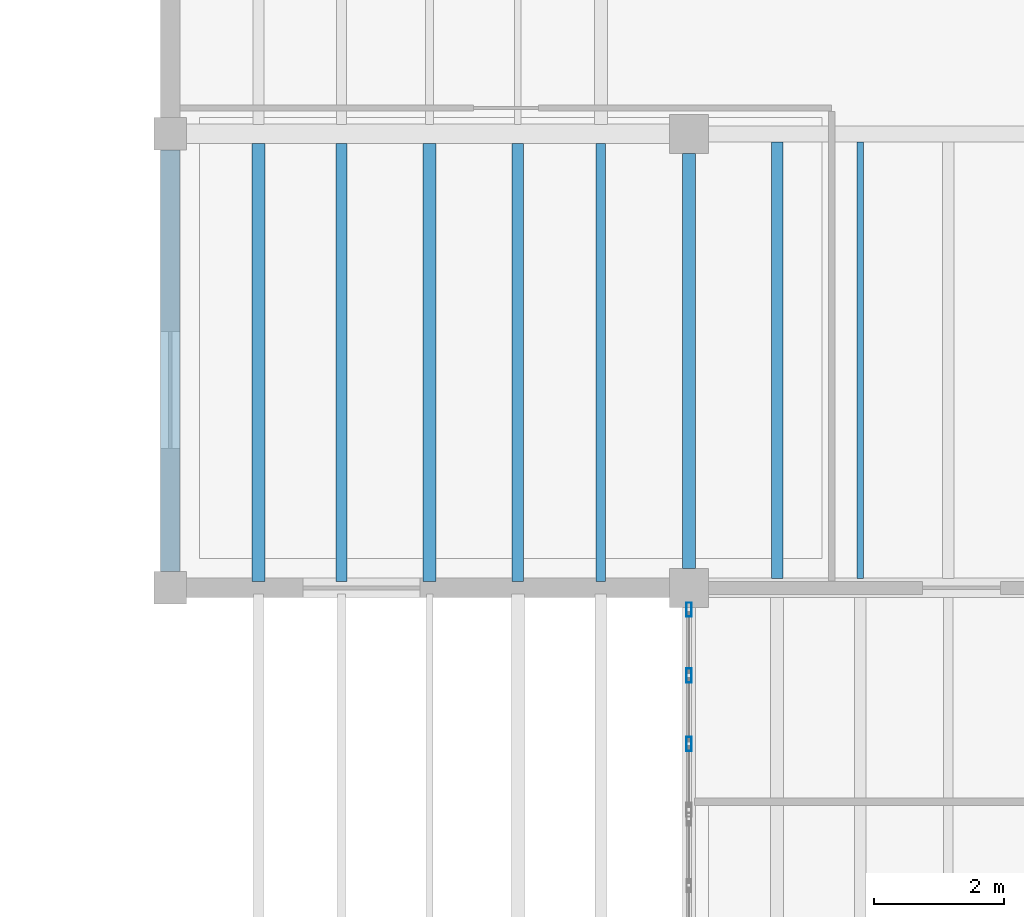
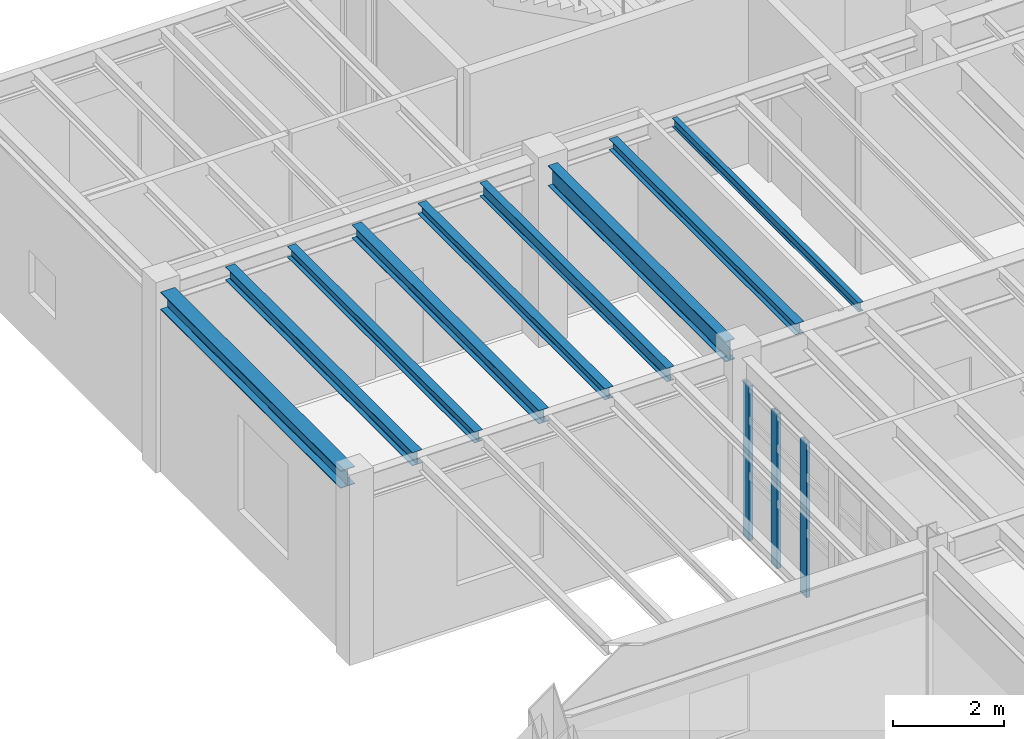
# One storey, part 42 of 78: 9 beams, 3 members, 1 element without a shape of its own.
"""IFC4 building model written with IfcOpenShell, lengths in metres."""

from ifc_helpers import new_model, si_unit, direction, frame, origin, origin_2d, place, context, subcontext, project, spatial, hollow_rectangle, i_section, extrude, material, material_profile, profile_set, type_object, element, aggregate, save


model = new_model("IFC4")

# Units and contexts
model_context = context("Model", 3, precision=1e-05, world=origin(), true_north=direction((0.0, 1.0)))
body_context = subcontext(model_context, "Body", "Model", "MODEL_VIEW")
ifc_project = project(units=[si_unit("LENGTHUNIT", "METRE"), si_unit("AREAUNIT", "SQUARE_METRE"), si_unit("VOLUMEUNIT", "CUBIC_METRE"), si_unit("PLANEANGLEUNIT", "RADIAN"), si_unit("MASSUNIT", "GRAM", prefix="KILO"), si_unit("THERMODYNAMICTEMPERATUREUNIT", "KELVIN"), si_unit("POWERUNIT", "WATT")], contexts=[model_context])

# Site, building, storey
site_placement = place(None, origin())
site = spatial("IfcSite", under=ifc_project, at=site_placement, CompositionType="ELEMENT")
building_placement = place(site_placement, origin())
building = spatial("IfcBuilding", under=site, at=building_placement, Name="Zhenchuan Central Fire Station", CompositionType="ELEMENT")
storey_placement = place(building_placement, frame((0.0, 0.0, 5.85009765625)))
storey = spatial("IfcBuildingStorey", under=building, at=storey_placement, Name="L02", CompositionType="ELEMENT", Elevation=5.85009765625)

# Beams
ifc_material_1 = material(Name="Steel Q355B", Category="steel")
ifc_material_profile_1 = material_profile(ifc_material_1, i_section(OverallWidth=0.300048828125, OverallDepth=0.389892578125, WebThickness=0.010009765625, FlangeThickness=0.01611328125, FilletRadius=0.02001953125, at=origin_2d()), Name="HM 390x300")
ifc_profile_set_1 = profile_set([ifc_material_profile_1], Name="Steel Q355B")
beam_type_1 = type_object("IfcBeamType", Name="BM-HM390-INT", PredefinedType="BEAM", material=ifc_profile_set_1)
beam_1_placement = place(storey_placement, frame((132.0, 42.75, 3.764892578125), z_axis=(0.0, 1.0, 0.0), x_axis=(-1.0, 0.0, 0.0)))
element("IfcBeam", 1, at=beam_1_placement, inside=storey, type_object=beam_type_1, Name="L03 Girder NS 0316", PredefinedType="BEAM", context=body_context, shape_type="SweptSolid", body=[
    extrude(i_section(OverallWidth=0.300048828125, OverallDepth=0.389892578125, WebThickness=0.010009765625, FlangeThickness=0.01611328125, FilletRadius=0.02001953125, at=origin_2d()), origin(), (0.0, 0.0, 1.0), 6.5),
])
ifc_material_profile_2 = material_profile(ifc_material_1, i_section(OverallWidth=0.199951171875, OverallDepth=0.449951171875, WebThickness=0.009033203125, FlangeThickness=0.013916015625, FilletRadius=0.01806640625, at=origin_2d()), Name="HN 450x200")
ifc_profile_set_2 = profile_set([ifc_material_profile_2], Name="Steel Q355B")
beam_type_2 = type_object("IfcBeamType", Name="BM-HN450", PredefinedType="BEAM", material=ifc_profile_set_2)
beam_2_placement = place(storey_placement, frame((140.0, 42.800048828125, 3.73486328125), z_axis=(0.0, 1.0, 0.0), x_axis=(-1.0, 0.0, 0.0)))
element("IfcBeam", 2, at=beam_2_placement, inside=storey, type_object=beam_type_2, Name="L03 Girder NS 0324", PredefinedType="BEAM", context=body_context, shape_type="SweptSolid", body=[
    extrude(i_section(OverallWidth=0.199951171875, OverallDepth=0.449951171875, WebThickness=0.009033203125, FlangeThickness=0.013916015625, FilletRadius=0.01806640625, at=origin_2d()), origin(), (0.0, 0.0, 1.0), 6.39990234375),
])

# Curtain wall, members
ifc_material_2 = material(Name="Anodised aluminium and low-E glazing", Category="aluminium")
curtain_wall_type = type_object("IfcCurtainWallType", Name="CW-MOD-12", PredefinedType="USERDEFINED", material=ifc_material_2)
curtain_wall_placement = place(storey_placement, origin())
curtain_wall = element("IfcCurtainWall", 3, at=curtain_wall_placement, inside=storey, type_object=curtain_wall_type, Name="L02 Unitised Curtain Wall 099", ObjectType="UNITISED GLAZING", PredefinedType="USERDEFINED")
ifc_material_3 = material(Name="Anodised aluminium EN AW-6063", Category="aluminium")
ifc_material_profile_3 = material_profile(ifc_material_3, hollow_rectangle(XDim=0.080078125, YDim=0.219970703125, WallThickness=0.005615234375, at=origin_2d()), Name="ALU-M 220x80")
ifc_profile_set_3 = profile_set([ifc_material_profile_3], Name="Anodised aluminium EN AW-6063")
member_type = type_object("IfcMemberType", Name="CW-MUL200", PredefinedType="MULLION", material=ifc_profile_set_3)
member_1_placement = place(storey_placement, frame((140.0, 40.092041015625, -0.004150390625), z_axis=(0.0, 0.0, 1.0), x_axis=(-1.0, 0.0, 0.0)))
member_1 = element("IfcMember", 4, at=member_1_placement, type_object=member_type, Name="CW-12 mullion 2", PredefinedType="MULLION", context=body_context, shape_type="SweptSolid", body=[
    extrude(hollow_rectangle(XDim=0.080078125, YDim=0.219970703125, WallThickness=0.005615234375, at=origin_2d()), origin(), (0.0, 0.0, 1.0), 3.404052734375),
])
member_2_placement = place(storey_placement, frame((140.0, 41.14599609375, -0.004150390625), z_axis=(0.0, 0.0, 1.0), x_axis=(-1.0, 0.0, 0.0)))
member_2 = element("IfcMember", 5, at=member_2_placement, type_object=member_type, Name="CW-12 mullion 3", PredefinedType="MULLION", context=body_context, shape_type="SweptSolid", body=[
    extrude(hollow_rectangle(XDim=0.080078125, YDim=0.219970703125, WallThickness=0.005615234375, at=origin_2d()), origin(), (0.0, 0.0, 1.0), 3.404052734375),
])
member_3_placement = place(storey_placement, frame((140.0, 42.16259765625, -0.004150390625), z_axis=(0.0, 0.0, 1.0), x_axis=(-1.0, 0.0, 0.0)))
member_3 = element("IfcMember", 6, at=member_3_placement, type_object=member_type, Name="CW-12 mullion 4", PredefinedType="MULLION", context=body_context, shape_type="SweptSolid", body=[
    extrude(hollow_rectangle(XDim=0.080078125, YDim=0.219970703125, WallThickness=0.005615234375, at=origin_2d()), origin(), (0.0, 0.0, 1.0), 3.404052734375),
])
aggregate(curtain_wall, [member_1, member_2, member_3])

# Beams
ifc_material_profile_4 = material_profile(ifc_material_1, i_section(OverallWidth=0.175048828125, OverallDepth=0.243896484375, WebThickness=0.007080078125, FlangeThickness=0.010986328125, FilletRadius=0.012939453125, at=origin_2d()), Name="HM 244x175")
ifc_profile_set_4 = profile_set([ifc_material_profile_4], Name="Steel Q355B")
beam_type_3 = type_object("IfcBeamType", Name="JS-HM244", PredefinedType="JOIST", material=ifc_profile_set_4)
for number, where, z_axis, x_axis, name in (
    (7, (134.639892578125, 42.596923828125, 3.837890625), (0.0, 1.0, 0.0), (-1.0, 0.0, 0.0), "L03 Secondary Joist 0528"),
    (8, (137.360107421875, 42.596923828125, 3.837890625), (0.0, 1.0, 0.0), (-1.0, 0.0, 0.0), "L03 Secondary Joist 0530"),
):
    element("IfcBeam", number, at=place(storey_placement, frame(where, z_axis=z_axis, x_axis=x_axis)), inside=storey, type_object=beam_type_3, Name=name, PredefinedType="JOIST", context=body_context, shape_type="SweptSolid", body=[
        extrude(i_section(OverallWidth=0.175048828125, OverallDepth=0.243896484375, WebThickness=0.007080078125, FlangeThickness=0.010986328125, FilletRadius=0.012939453125, at=origin_2d()), origin(), (0.0, 0.0, 1.0), 6.756103515625),
    ])
beam_3_placement = place(storey_placement, frame((141.360107421875, 42.64697265625, 3.837890625), z_axis=(0.0, 1.0, 0.0), x_axis=(-1.0, 0.0, 0.0)))
element("IfcBeam", 9, at=beam_3_placement, inside=storey, type_object=beam_type_3, Name="L03 Secondary Joist 0532", PredefinedType="JOIST", context=body_context, shape_type="SweptSolid", body=[
    extrude(i_section(OverallWidth=0.175048828125, OverallDepth=0.243896484375, WebThickness=0.007080078125, FlangeThickness=0.010986328125, FilletRadius=0.012939453125, at=origin_2d()), origin(), (0.0, 0.0, 1.0), 6.73095703125),
])
ifc_material_profile_5 = material_profile(ifc_material_1, i_section(OverallWidth=0.199951171875, OverallDepth=0.2939453125, WebThickness=0.008056640625, FlangeThickness=0.011962890625, FilletRadius=0.01611328125, at=origin_2d()), Name="HM 294x200")
ifc_profile_set_5 = profile_set([ifc_material_profile_5], Name="Steel Q355B")
beam_type_4 = type_object("IfcBeamType", Name="JS-HM294", PredefinedType="JOIST", material=ifc_profile_set_5)
for number, where, z_axis, x_axis, name in (
    (10, (133.360107421875, 42.596923828125, 3.81298828125), (0.0, 1.0, 0.0), (-1.0, 0.0, 0.0), "L03 Secondary Joist 0527"),
    (11, (136.0, 42.596923828125, 3.81298828125), (0.0, 1.0, 0.0), (-1.0, 0.0, 0.0), "L03 Secondary Joist 0529"),
):
    element("IfcBeam", number, at=place(storey_placement, frame(where, z_axis=z_axis, x_axis=x_axis)), inside=storey, type_object=beam_type_4, Name=name, PredefinedType="JOIST", context=body_context, shape_type="SweptSolid", body=[
        extrude(i_section(OverallWidth=0.199951171875, OverallDepth=0.2939453125, WebThickness=0.008056640625, FlangeThickness=0.011962890625, FilletRadius=0.01611328125, at=origin_2d()), origin(), (0.0, 0.0, 1.0), 6.756103515625),
    ])
ifc_material_profile_6 = material_profile(ifc_material_1, i_section(OverallWidth=0.10009765625, OverallDepth=0.199951171875, WebThickness=0.005615234375, FlangeThickness=0.008056640625, FilletRadius=0.010986328125, at=origin_2d()), Name="HN 200x100")
ifc_profile_set_6 = profile_set([ifc_material_profile_6], Name="Steel Q355B")
beam_type_5 = type_object("IfcBeamType", Name="JS-HN200", PredefinedType="JOIST", material=ifc_profile_set_6)
beam_4_placement = place(storey_placement, frame((142.639892578125, 42.64697265625, 3.85986328125), z_axis=(0.0, 1.0, 0.0), x_axis=(-1.0, 0.0, 0.0)))
element("IfcBeam", 12, at=beam_4_placement, inside=storey, type_object=beam_type_5, Name="L03 Secondary Joist 0533", PredefinedType="JOIST", context=body_context, shape_type="SweptSolid", body=[
    extrude(i_section(OverallWidth=0.10009765625, OverallDepth=0.199951171875, WebThickness=0.005615234375, FlangeThickness=0.008056640625, FilletRadius=0.010986328125, at=origin_2d()), origin(), (0.0, 0.0, 1.0), 6.73095703125),
])
ifc_material_profile_7 = material_profile(ifc_material_1, i_section(OverallWidth=0.14990234375, OverallDepth=0.300048828125, WebThickness=0.006591796875, FlangeThickness=0.009033203125, FilletRadius=0.012939453125, at=origin_2d()), Name="HN 300x150")
ifc_profile_set_7 = profile_set([ifc_material_profile_7], Name="Steel Q355B")
beam_type_6 = type_object("IfcBeamType", Name="JS-HN300", PredefinedType="JOIST", material=ifc_profile_set_7)
beam_5_placement = place(storey_placement, frame((138.639892578125, 42.596923828125, 3.809814453125), z_axis=(0.0, 1.0, 0.0), x_axis=(-1.0, 0.0, 0.0)))
element("IfcBeam", 13, at=beam_5_placement, inside=storey, type_object=beam_type_6, Name="L03 Secondary Joist 0531", PredefinedType="JOIST", context=body_context, shape_type="SweptSolid", body=[
    extrude(i_section(OverallWidth=0.14990234375, OverallDepth=0.300048828125, WebThickness=0.006591796875, FlangeThickness=0.009033203125, FilletRadius=0.012939453125, at=origin_2d()), origin(), (0.0, 0.0, 1.0), 6.756103515625),
])

save(model, "model.ifc")
